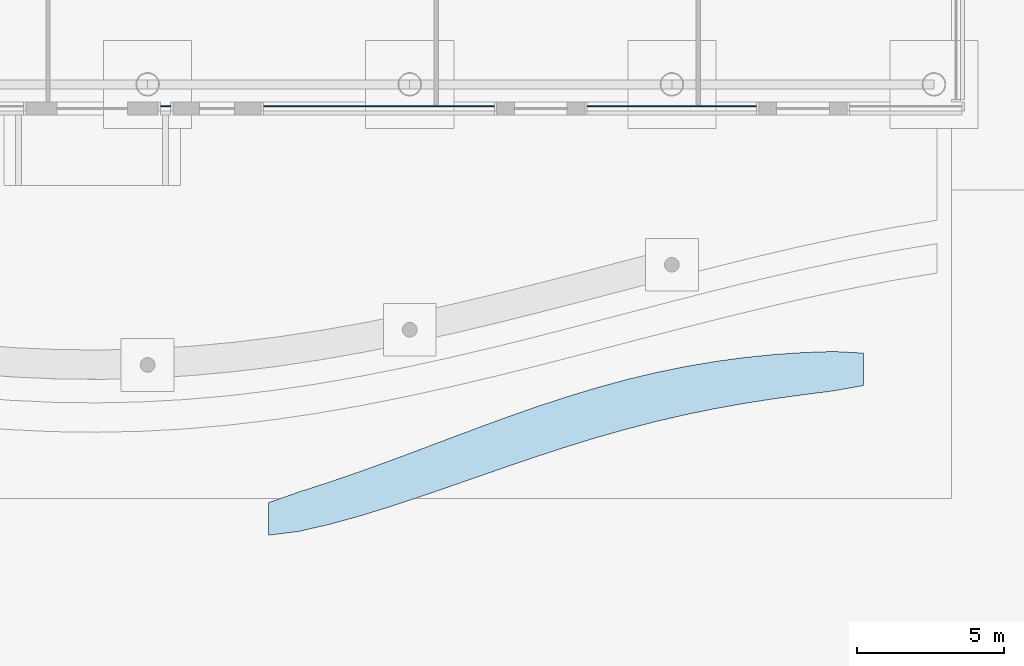
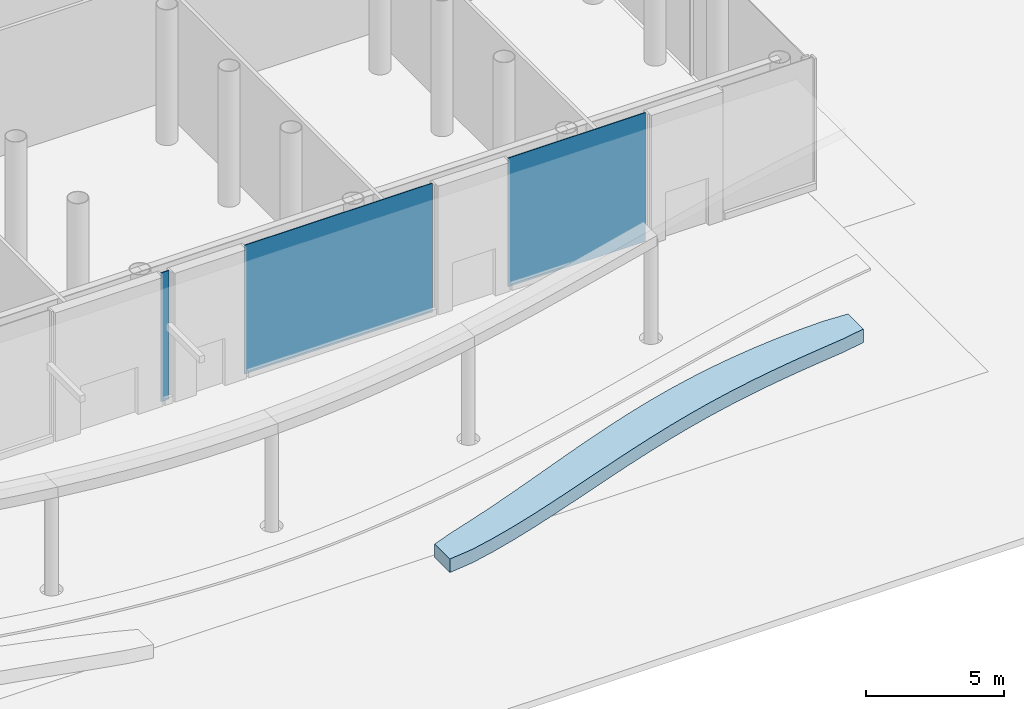
# One storey, part 22 of 75: 3 plates, 1 slab, 3 elements without a shape of their own.
"""IFC4 building model written with IfcOpenShell, lengths in metres."""

from ifc_helpers import new_model, si_unit, direction, frame, origin, origin_2d, place, context, subcontext, project, spatial, polyline, rectangle, outline, extrude, material, layer, layer_set, type_object, element, aggregate, save


model = new_model("IFC4")

# Units and contexts
model_context = context("Model", 3, precision=1e-05, world=origin(), true_north=direction((0.0, 1.0)))
body_context = subcontext(model_context, "Body", "Model", "MODEL_VIEW")
ifc_project = project(units=[si_unit("LENGTHUNIT", "METRE"), si_unit("AREAUNIT", "SQUARE_METRE"), si_unit("VOLUMEUNIT", "CUBIC_METRE"), si_unit("PLANEANGLEUNIT", "RADIAN"), si_unit("MASSUNIT", "GRAM", prefix="KILO")], contexts=[model_context])

# Site, building, storey
site_placement = place(None, origin())
site = spatial("IfcSite", under=ifc_project, at=site_placement, CompositionType="ELEMENT")
building_placement = place(site_placement, origin())
building = spatial("IfcBuilding", under=site, at=building_placement, Name="Ipe Terrace Towers", CompositionType="ELEMENT")
storey_placement = place(building_placement, origin())
storey = spatial("IfcBuildingStorey", under=building, at=storey_placement, Name="L00", CompositionType="ELEMENT", Elevation=0.0)

# Slab
ifc_material_1 = material(Name="Concrete C30/37", Category="concrete")
ifc_layer_1 = layer(ifc_material_1, 0.60009765625)
ifc_layer_set_1 = layer_set([ifc_layer_1], Name="CURVED PLANTING RIBBON 600")
slab_type = type_object("IfcSlabType", Name="CURVED PLANTING RIBBON 600", PredefinedType="USERDEFINED", material=ifc_layer_set_1)
slab_placement = place(storey_placement, origin())
element("IfcSlab", 1, at=slab_placement, inside=storey, type_object=slab_type, Name="curved planting ribbon", ObjectType="PLANTER", PredefinedType="USERDEFINED", context=body_context, shape_type="SweptSolid", body=[
    extrude(outline(polyline([(42.0, -56.388916015625), (43.012939453125, -56.030029296875), (44.02490234375, -55.702880859375), (45.0380859375, -55.35595703125), (46.050048828125, -54.990966796875), (47.06201171875, -54.614990234375), (48.074951171875, -54.23291015625), (49.0869140625, -53.85302734375), (50.10009765625, -53.48193359375), (51.112060546875, -53.126953125), (52.125, -52.79296875), (53.137939453125, -52.485107421875), (54.14990234375, -52.2080078125), (55.1630859375, -51.965087890625), (56.175048828125, -51.757080078125), (57.18798828125, -51.583984375), (58.199951171875, -51.447021484375), (59.2119140625, -51.343994140625), (60.22509765625, -51.27490234375), (61.237060546875, -51.240966796875), (62.25, -51.294921875), (62.25, -52.39990234375), (61.237060546875, -52.5810546875), (60.22509765625, -52.7109375), (59.2119140625, -52.85009765625), (58.199951171875, -53.008056640625), (57.18798828125, -53.18896484375), (56.175048828125, -53.39697265625), (55.1630859375, -53.631103515625), (54.14990234375, -53.89404296875), (53.137939453125, -54.180908203125), (52.125, -54.492919921875), (51.112060546875, -54.822998046875), (50.10009765625, -55.1669921875), (49.0869140625, -55.52001953125), (48.074951171875, -55.873046875), (47.06201171875, -56.219970703125), (46.050048828125, -56.552978515625), (45.0380859375, -56.862060546875), (44.02490234375, -57.137939453125), (43.012939453125, -57.3701171875), (42.0, -57.493896484375), (42.0, -56.388916015625)])), origin(), (0.0, 0.0, 1.0), 0.60009765625),
])

# Curtain wall, plate
ifc_material_2 = material(Name="Aluminium alloy 6063-T6", Category="aluminium")
ifc_layer_2 = layer(ifc_material_2, 0.43994140625)
ifc_layer_set_2 = layer_set([ifc_layer_2], Name="PODIUM GLAZING CURTAIN WALL")
curtain_wall_type = type_object("IfcCurtainWallType", Name="PODIUM GLAZING CURTAIN WALL", PredefinedType="NOTDEFINED", material=ifc_layer_set_2)
curtain_wall_1_placement = place(storey_placement, origin())
curtain_wall_1 = element("IfcCurtainWall", 2, at=curtain_wall_1_placement, inside=storey, type_object=curtain_wall_type, Name="POD-CW-L00-03q curtain wall", PredefinedType="NOTDEFINED")
ifc_material_3 = material(Name="Glass, clear laminated", Category="glass")
ifc_layer_3 = layer(ifc_material_3, 0.035888671875)
ifc_layer_set_3 = layer_set([ifc_layer_3], Name="PODIUM GLAZING GLASS PANEL 36")
plate_type = type_object("IfcPlateType", Name="PODIUM GLAZING GLASS PANEL 36", PredefinedType="CURTAIN_PANEL", material=ifc_layer_set_3)
plate_1_placement = place(storey_placement, frame((38.5, -42.89990234375, 0.0), z_axis=(0.0, 0.0, 1.0), x_axis=(1.0, 0.0, 0.0)))
plate_1 = element("IfcPlate", 3, at=plate_1_placement, type_object=plate_type, Name="POD-CW-L00-03q panel 1", PredefinedType="CURTAIN_PANEL", context=body_context, shape_type="SweptSolid", body=[
    extrude(rectangle(XDim=0.340087890625, YDim=0.035888671875, at=origin_2d()), origin(), (0.0, 0.0, 1.0), 5.699951171875),
])
aggregate(curtain_wall_1, [plate_1])

curtain_wall_2_placement = place(storey_placement, origin())
curtain_wall_2 = element("IfcCurtainWall", 4, at=curtain_wall_2_placement, inside=storey, type_object=curtain_wall_type, Name="POD-CW-L00-03s curtain wall", PredefinedType="NOTDEFINED")
plate_2_placement = place(storey_placement, frame((45.760009765625, -42.89990234375, 0.0), z_axis=(0.0, 0.0, 1.0), x_axis=(1.0, 0.0, 0.0)))
plate_2 = element("IfcPlate", 5, at=plate_2_placement, type_object=plate_type, Name="POD-CW-L00-03s panel 1", PredefinedType="CURTAIN_PANEL", context=body_context, shape_type="SweptSolid", body=[
    extrude(rectangle(XDim=7.860107421875, YDim=0.035888671875, at=origin_2d()), origin(), (0.0, 0.0, 1.0), 5.699951171875),
])
aggregate(curtain_wall_2, [plate_2])

curtain_wall_3_placement = place(storey_placement, origin())
curtain_wall_3 = element("IfcCurtainWall", 6, at=curtain_wall_3_placement, inside=storey, type_object=curtain_wall_type, Name="POD-CW-L00-03u curtain wall", PredefinedType="NOTDEFINED")
plate_3_placement = place(storey_placement, frame((55.72998046875, -42.89990234375, 0.0), z_axis=(0.0, 0.0, 1.0), x_axis=(1.0, 0.0, 0.0)))
plate_3 = element("IfcPlate", 7, at=plate_3_placement, type_object=plate_type, Name="POD-CW-L00-03u panel 1", PredefinedType="CURTAIN_PANEL", context=body_context, shape_type="SweptSolid", body=[
    extrude(rectangle(XDim=5.760009765625, YDim=0.035888671875, at=origin_2d()), origin(), (0.0, 0.0, 1.0), 5.699951171875),
])
aggregate(curtain_wall_3, [plate_3])

save(model, "model.ifc")
